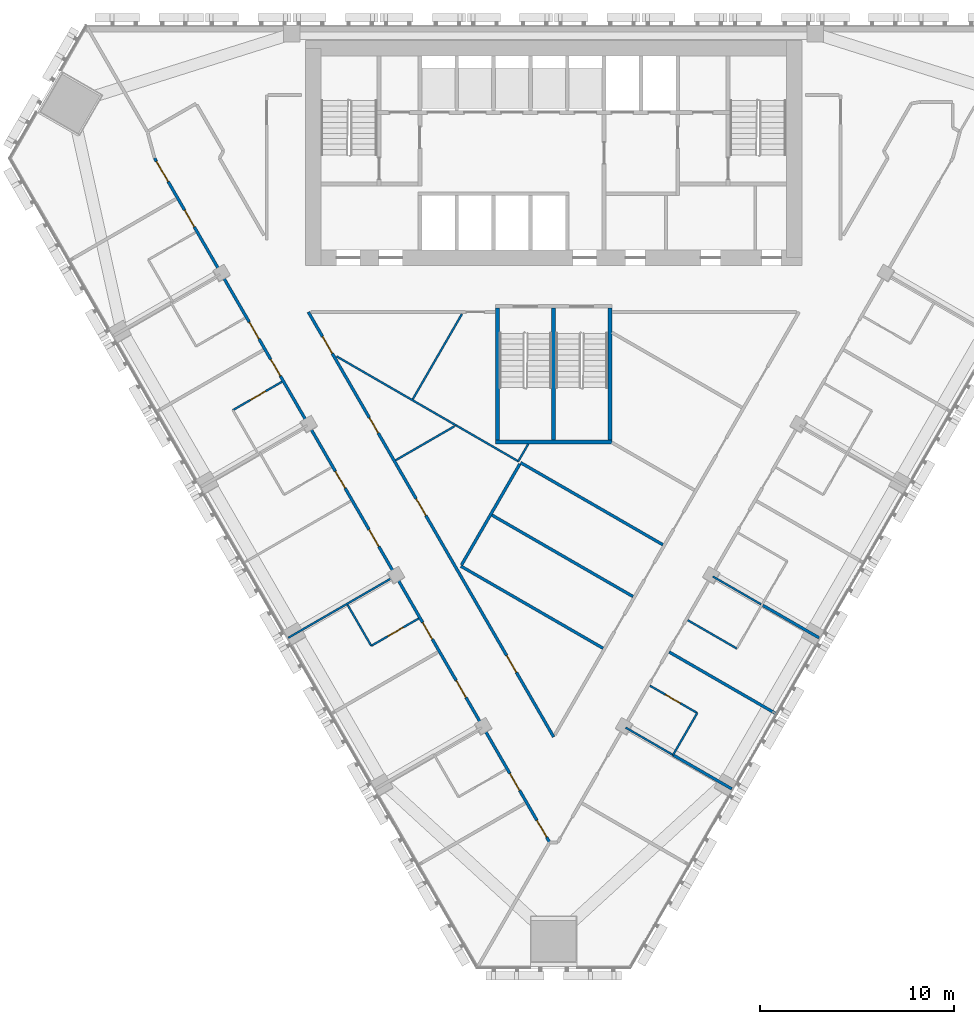
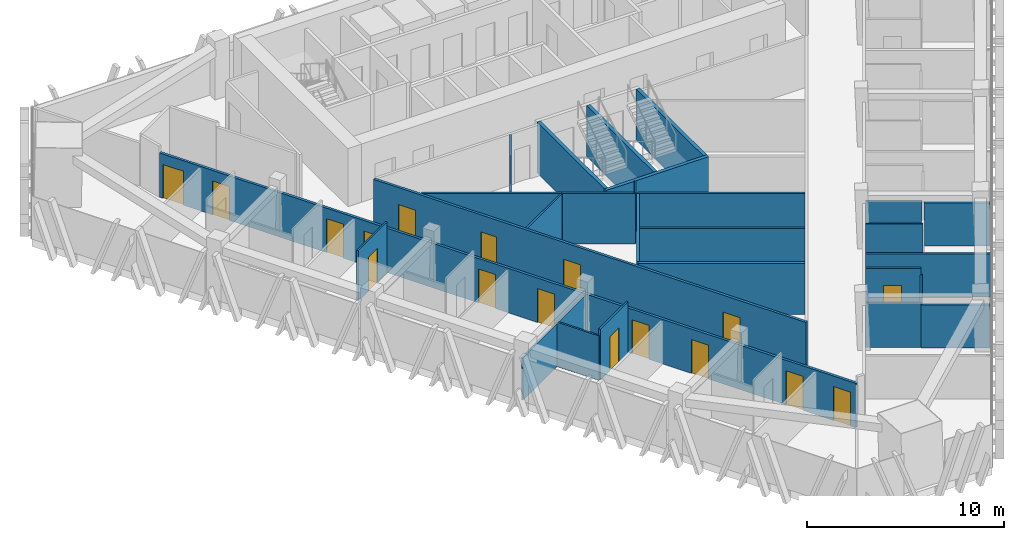
# One storey, part 9 of 16: 27 walls, 17 doors, 17 openings.
"""IFC4 building model written with IfcOpenShell, lengths in metres."""

from ifc_helpers import new_model, si_unit, direction, frame, frame_2d, origin, place, context, subcontext, project, spatial, rectangle, extrude, material, layer, layer_set, type_object, element, fill, save


model = new_model("IFC4")

# Units and contexts
model_context = context("Model", 3, precision=1e-05, world=origin(), true_north=direction((0.0, 1.0)))
body_context = subcontext(model_context, "Body", "Model", "MODEL_VIEW")
ifc_project = project(units=[si_unit("LENGTHUNIT", "METRE"), si_unit("AREAUNIT", "SQUARE_METRE"), si_unit("VOLUMEUNIT", "CUBIC_METRE"), si_unit("PLANEANGLEUNIT", "RADIAN"), si_unit("MASSUNIT", "GRAM", prefix="KILO")], contexts=[model_context])

# Site, building, storey
site_placement = place(None, origin())
site = spatial("IfcSite", under=ifc_project, at=site_placement, CompositionType="ELEMENT")
building_placement = place(site_placement, origin())
building = spatial("IfcBuilding", under=site, at=building_placement, Name="Altiplano Prism Tower", CompositionType="ELEMENT")
storey_placement = place(building_placement, frame((0.0, 0.0, 124.199951171875)))
storey = spatial("IfcBuildingStorey", under=building, at=storey_placement, Name="L31", CompositionType="ELEMENT", Elevation=124.199951171875)

# Wall, opening, door
ifc_material_1 = material(Name="Plasterboard on steel stud", Category="steel")
ifc_layer_1 = layer(ifc_material_1, 0.10009765625)
ifc_layer_set_1 = layer_set([ifc_layer_1], Name="Plasterboard on steel stud")
wall_type_1 = type_object("IfcWallType", Name="Partition 100 unit", PredefinedType="PARTITIONING", material=ifc_layer_set_1)
wall_1_placement = place(storey_placement, frame((68.454345703125, 85.139404296875, 0.0), z_axis=(0.0, 0.0, 1.0), x_axis=(0.865989585315, 0.500062034277, 0.0)))
wall_1 = element("IfcWall", 1, at=wall_1_placement, inside=storey, type_object=wall_type_1, Name="Partition P02 L31 044", PredefinedType="PARTITIONING", context=body_context, shape_type="SweptSolid", body=[
    extrude(rectangle(XDim=2.925048828125, YDim=0.10009765625, at=frame_2d((1.46240234375, 0.0))), origin(), (0.0, 0.0, 1.0), 3.150146484375),
])
opening_1_placement = place(wall_1_placement, frame((1.050048828125, 0.0, 0.0)))
opening_1 = element("IfcOpeningElement", 2, at=opening_1_placement, cuts=wall_1, Name="Opening D1104", PredefinedType="OPENING", context=body_context, shape_type="SweptSolid", body=[
    extrude(rectangle(XDim=0.89990234375, YDim=2.10009765625, at=frame_2d((0.449951171875, 1.050048828125))), frame((0.0, 0.060546875, 0.0), z_axis=(0.0, -1.0, 0.0), x_axis=(1.0, 0.0, 0.0)), (0.0, 0.0, 1.0), 0.12109375),
])
ifc_material_2 = material(Name="Timber", Category="wood")
door_type_1 = type_object("IfcDoorType", Name="Ensuite door 900 x 2100", OperationType="NOTDEFINED", PredefinedType="NOTDEFINED", material=ifc_material_2)
door_1_placement = place(opening_1_placement, origin())
door_1 = element("IfcDoor", 3, at=door_1_placement, inside=storey, type_object=door_type_1, Name="Door D1104", OperationType="SINGLE_SWING_LEFT", OverallHeight=2.10009765625, OverallWidth=0.89990234375, PredefinedType="NOTDEFINED", context=body_context, shape_type="SweptSolid", body=[
    extrude(rectangle(XDim=0.89990234375, YDim=2.10009765625, at=frame_2d((0.449951171875, 1.050048828125))), frame((0.0, 0.02490234375, 0.0), z_axis=(0.0, -1.0, 0.0), x_axis=(1.0, 0.0, 0.0)), (0.0, 0.0, 1.0), 0.050048828125),
])
fill(opening_1, door_1)

wall_2_placement = place(storey_placement, frame((78.037353515625, 74.39111328125, 0.0), z_axis=(0.0, 0.0, 1.0), x_axis=(-0.866011447264, -0.500024172624, 0.0)))
wall_2 = element("IfcWall", 4, at=wall_2_placement, inside=storey, type_object=wall_type_1, Name="Partition P02 L31 051", PredefinedType="PARTITIONING", context=body_context, shape_type="SweptSolid", body=[
    extrude(rectangle(XDim=2.824951171875, YDim=0.10009765625, at=frame_2d((1.41259765625, 0.0))), origin(), (0.0, 0.0, 1.0), 3.150146484375),
])
opening_2_placement = place(wall_2_placement, frame((0.925048828125, 0.0, 0.0)))
opening_2 = element("IfcOpeningElement", 5, at=opening_2_placement, cuts=wall_2, Name="Opening D1109", PredefinedType="OPENING", context=body_context, shape_type="SweptSolid", body=[
    extrude(rectangle(XDim=0.89990234375, YDim=2.10009765625, at=frame_2d((0.449951171875, 1.050048828125))), frame((0.0, 0.060546875, 0.0), z_axis=(0.0, -1.0, 0.0), x_axis=(1.0, 0.0, 0.0)), (0.0, 0.0, 1.0), 0.12109375),
])
door_2_placement = place(opening_2_placement, origin())
door_2 = element("IfcDoor", 6, at=door_2_placement, inside=storey, type_object=door_type_1, Name="Door D1109", OperationType="SINGLE_SWING_LEFT", OverallHeight=2.10009765625, OverallWidth=0.89990234375, PredefinedType="NOTDEFINED", context=body_context, shape_type="SweptSolid", body=[
    extrude(rectangle(XDim=0.89990234375, YDim=2.10009765625, at=frame_2d((0.449951171875, 1.050048828125))), frame((0.0, 0.02490234375, 0.0), z_axis=(0.0, -1.0, 0.0), x_axis=(1.0, 0.0, 0.0)), (0.0, 0.0, 1.0), 0.050048828125),
])
fill(opening_2, door_2)

# Wall
wall_3_placement = place(storey_placement, frame((75.5908203125, 72.978515625, 0.0), z_axis=(0.0, 0.0, 1.0), x_axis=(-0.499943856944, 0.866057815567, 0.0)))
element("IfcWall", 7, at=wall_3_placement, inside=storey, type_object=wall_type_1, Name="Partition P02 L31 052", PredefinedType="PARTITIONING", context=body_context, shape_type="SweptSolid", body=[
    extrude(rectangle(XDim=2.449951171875, YDim=0.10009765625, at=frame_2d((1.22509765625, 0.0))), origin(), (0.0, 0.0, 1.0), 2.75),
])

# Wall, opening, door
wall_4_placement = place(storey_placement, frame((89.962646484375, 70.927001953125, 0.0), z_axis=(0.0, 0.0, 1.0), x_axis=(0.866011447264, -0.500024172624, 0.0)))
wall_4 = element("IfcWall", 8, at=wall_4_placement, inside=storey, type_object=wall_type_1, Name="Partition P02 L31 063", PredefinedType="PARTITIONING", context=body_context, shape_type="SweptSolid", body=[
    extrude(rectangle(XDim=2.824951171875, YDim=0.10009765625, at=frame_2d((1.41259765625, 0.0))), origin(), (0.0, 0.0, 1.0), 3.150146484375),
])
opening_3_placement = place(wall_4_placement, frame((0.925048828125, 0.0, 0.0)))
opening_3 = element("IfcOpeningElement", 9, at=opening_3_placement, cuts=wall_4, Name="Opening D1117", PredefinedType="OPENING", context=body_context, shape_type="SweptSolid", body=[
    extrude(rectangle(XDim=0.89990234375, YDim=2.10009765625, at=frame_2d((0.449951171875, 1.050048828125))), frame((0.0, 0.060546875, 0.0), z_axis=(0.0, -1.0, 0.0), x_axis=(1.0, 0.0, 0.0)), (0.0, 0.0, 1.0), 0.12109375),
])
door_3_placement = place(opening_3_placement, origin())
door_3 = element("IfcDoor", 10, at=door_3_placement, inside=storey, type_object=door_type_1, Name="Door D1117", OperationType="SINGLE_SWING_LEFT", OverallHeight=2.10009765625, OverallWidth=0.89990234375, PredefinedType="NOTDEFINED", context=body_context, shape_type="SweptSolid", body=[
    extrude(rectangle(XDim=0.89990234375, YDim=2.10009765625, at=frame_2d((0.449951171875, 1.050048828125))), frame((0.0, 0.02490234375, 0.0), z_axis=(0.0, -1.0, 0.0), x_axis=(1.0, 0.0, 0.0)), (0.0, 0.0, 1.0), 0.050048828125),
])
fill(opening_3, door_3)

# Walls
wall_5_placement = place(storey_placement, frame((92.4091796875, 69.514404296875, 0.0), z_axis=(0.0, 0.0, 1.0), x_axis=(-0.500004234368, -0.866022959057, 0.0)))
element("IfcWall", 11, at=wall_5_placement, inside=storey, type_object=wall_type_1, Name="Partition P02 L31 064", PredefinedType="PARTITIONING", context=body_context, shape_type="SweptSolid", body=[
    extrude(rectangle(XDim=2.5, YDim=0.10009765625, at=frame_2d((1.25, 0.0))), origin(), (0.0, 0.0, 1.0), 2.75),
])
wall_6_placement = place(storey_placement, frame((94.44580078125, 72.842041015625, 0.0), z_axis=(0.0, 0.0, 1.0), x_axis=(-0.866046596414, 0.499963291492, 0.0)))
element("IfcWall", 12, at=wall_6_placement, inside=storey, type_object=wall_type_1, Name="Partition P02 L31 066", PredefinedType="PARTITIONING", context=body_context, shape_type="SweptSolid", body=[
    extrude(rectangle(XDim=2.925048828125, YDim=0.10009765625, at=frame_2d((1.46240234375, 0.0))), origin(), (0.0, 0.0, 1.0), 3.150146484375),
])
ifc_layer_2 = layer(ifc_material_1, 0.10009765625)
ifc_layer_set_2 = layer_set([ifc_layer_2], Name="Plasterboard on steel stud")
wall_type_2 = type_object("IfcWallType", Name="Partition 100 wet", PredefinedType="PARTITIONING", material=ifc_layer_set_2)
wall_7_placement = place(storey_placement, frame((79.9833984375, 84.342529296875, 0.0), z_axis=(0.0, 0.0, 1.0), x_axis=(-0.866015220358, 0.500017637798, 0.0)))
element("IfcWall", 13, at=wall_7_placement, inside=storey, type_object=wall_type_2, Name="Partition P03 L31 025", PredefinedType="PARTITIONING", context=body_context, shape_type="SweptSolid", body=[
    extrude(rectangle(XDim=7.135498046875, YDim=0.10009765625, at=frame_2d((3.56787109375, 0.0))), origin(), (0.0, 0.0, 1.0), 3.150146484375),
])
wall_8_placement = place(storey_placement, frame((76.847412109375, 82.552001953125, 0.0), z_axis=(0.0, 0.0, 1.0), x_axis=(0.866020164116, 0.500009075263, 0.0)))
element("IfcWall", 14, at=wall_8_placement, inside=storey, type_object=wall_type_2, Name="Partition P03 L31 026", PredefinedType="PARTITIONING", context=body_context, shape_type="SweptSolid", body=[
    extrude(rectangle(XDim=3.5146484375, YDim=0.10009765625, at=frame_2d((1.75732421875, 0.0))), origin(), (0.0, 0.0, 1.0), 3.150146484375),
])
wall_9_placement = place(storey_placement, frame((80.271728515625, 90.10009765625, 0.0), z_axis=(0.0, 0.0, 1.0), x_axis=(-0.499984530349, -0.866034335007, 0.0)))
element("IfcWall", 15, at=wall_9_placement, inside=storey, type_object=wall_type_2, Name="Partition P03 L31 027", PredefinedType="PARTITIONING", context=body_context, shape_type="SweptSolid", body=[
    extrude(rectangle(XDim=5.080322265625, YDim=0.10009765625, at=frame_2d((2.5400390625, 0.0))), origin(), (0.0, 0.0, 1.0), 3.150146484375),
])
wall_10_placement = place(storey_placement, frame((83.176025390625, 82.49951171875, 0.0), z_axis=(0.0, 0.0, 1.0), x_axis=(0.499952834948, 0.866052632827, 0.0)))
element("IfcWall", 16, at=wall_10_placement, inside=storey, type_object=wall_type_2, Name="Partition P03 L31 028", PredefinedType="PARTITIONING", context=body_context, shape_type="SweptSolid", body=[
    extrude(rectangle(XDim=1.03955078125, YDim=0.10009765625, at=frame_2d((0.519775390625, 0.0))), origin(), (0.0, 0.0, 1.0), 3.150146484375),
])
wall_11_placement = place(storey_placement, frame((79.96630859375, 84.3525390625, 0.0), z_axis=(0.0, 0.0, 1.0), x_axis=(0.866037201768, -0.499979564737, 0.0)))
element("IfcWall", 17, at=wall_11_placement, inside=storey, type_object=wall_type_2, Name="Partition P03 L31 029", PredefinedType="PARTITIONING", context=body_context, shape_type="SweptSolid", body=[
    extrude(rectangle(XDim=3.726318359375, YDim=0.10009765625, at=frame_2d((1.86328125, 0.0))), origin(), (0.0, 0.0, 1.0), 3.150146484375),
])
wall_12_placement = place(storey_placement, frame((71.309814453125, 73.3935546875, 0.0), z_axis=(0.0, 0.0, 1.0), x_axis=(0.866015887322, 0.500016482634, 0.0)))
element("IfcWall", 18, at=wall_12_placement, inside=storey, type_object=wall_type_2, Name="Partition P03 L31 050", PredefinedType="PARTITIONING", context=body_context, shape_type="SweptSolid", body=[
    extrude(rectangle(XDim=6.324951171875, YDim=0.10009765625, at=frame_2d((3.16259765625, 0.0))), origin(), (0.0, 0.0, 1.0), 2.650146484375),
])
wall_13_placement = place(storey_placement, frame((91.1591796875, 67.349365234375, 0.0), z_axis=(0.0, 0.0, 1.0), x_axis=(-0.866011447264, 0.500024172624, 0.0)))
element("IfcWall", 19, at=wall_13_placement, inside=storey, type_object=wall_type_2, Name="Partition P03 L31 062", PredefinedType="PARTITIONING", context=body_context, shape_type="SweptSolid", body=[
    extrude(rectangle(XDim=2.824951171875, YDim=0.10009765625, at=frame_2d((1.41259765625, 0.0))), origin(), (0.0, 0.0, 1.0), 2.75),
])
wall_14_placement = place(storey_placement, frame((95.702392578125, 75.11865234375, 0.0), z_axis=(0.0, 0.0, 1.0), x_axis=(-0.866018712932, 0.500011588718, 0.0)))
element("IfcWall", 20, at=wall_14_placement, inside=storey, type_object=wall_type_2, Name="Partition P03 L31 068", PredefinedType="PARTITIONING", context=body_context, shape_type="SweptSolid", body=[
    extrude(rectangle(XDim=2.875, YDim=0.10009765625, at=frame_2d((1.4375, 0.0))), origin(), (0.0, 0.0, 1.0), 2.75),
])

# Wall, openings, doors
ifc_layer_3 = layer(ifc_material_1, 0.14990234375)
ifc_layer_set_3 = layer_set([ifc_layer_3], Name="Plasterboard on steel stud")
wall_type_3 = type_object("IfcWallType", Name="Partition 150 corridor", PredefinedType="PARTITIONING", material=ifc_layer_set_3)
wall_15_placement = place(storey_placement, frame((85.0, 68.281494140625, 0.0), z_axis=(0.0, 0.0, 1.0), x_axis=(-0.49999744999, 0.866026876029, 0.0)))
wall_15 = element("IfcWall", 21, at=wall_15_placement, inside=storey, type_object=wall_type_3, Name="Partition P06 L31 002", PredefinedType="PARTITIONING", context=body_context, shape_type="SweptSolid", body=[
    extrude(rectangle(XDim=25.309326171875, YDim=0.14990234375, at=frame_2d((12.65478515625, 0.0))), origin(), (0.0, 0.0, 1.0), 3.150146484375),
])
opening_4_placement = place(wall_15_placement, frame((18.10693359375, 0.0, 0.0)))
opening_4 = element("IfcOpeningElement", 22, at=opening_4_placement, cuts=wall_15, Name="Opening D1092", PredefinedType="OPENING", context=body_context, shape_type="SweptSolid", body=[
    extrude(rectangle(XDim=0.89990234375, YDim=2.10009765625, at=frame_2d((0.449951171875, 1.050048828125))), frame((0.0, 0.08544921875, 0.0), z_axis=(0.0, -1.0, 0.0), x_axis=(1.0, 0.0, 0.0)), (0.0, 0.0, 1.0), 0.1708984375),
])
opening_5_placement = place(wall_15_placement, frame((22.843017578125, 0.0, 0.0)))
opening_5 = element("IfcOpeningElement", 23, at=opening_5_placement, cuts=wall_15, Name="Opening D1094", PredefinedType="OPENING", context=body_context, shape_type="SweptSolid", body=[
    extrude(rectangle(XDim=1.0, YDim=2.10009765625, at=frame_2d((0.5, 1.050048828125))), frame((0.0, 0.08544921875, 0.0), z_axis=(0.0, -1.0, 0.0), x_axis=(1.0, 0.0, 0.0)), (0.0, 0.0, 1.0), 0.1708984375),
])
opening_6_placement = place(wall_15_placement, frame((3.843994140625, 0.0, 0.0)))
opening_6 = element("IfcOpeningElement", 24, at=opening_6_placement, cuts=wall_15, Name="Opening D1095", PredefinedType="OPENING", context=body_context, shape_type="SweptSolid", body=[
    extrude(rectangle(XDim=1.0, YDim=2.10009765625, at=frame_2d((0.5, 1.050048828125))), frame((0.0, 0.08544921875, 0.0), z_axis=(0.0, -1.0, 0.0), x_axis=(1.0, 0.0, 0.0)), (0.0, 0.0, 1.0), 0.1708984375),
])
opening_7_placement = place(wall_15_placement, frame((13.18408203125, 0.0, 0.0)))
opening_7 = element("IfcOpeningElement", 25, at=opening_7_placement, cuts=wall_15, Name="Opening D1097", PredefinedType="OPENING", context=body_context, shape_type="SweptSolid", body=[
    extrude(rectangle(XDim=1.0, YDim=2.10009765625, at=frame_2d((0.5, 1.050048828125))), frame((0.0, 0.08544921875, 0.0), z_axis=(0.0, -1.0, 0.0), x_axis=(1.0, 0.0, 0.0)), (0.0, 0.0, 1.0), 0.1708984375),
])
door_type_2 = type_object("IfcDoorType", Name="Store door 1000 x 2100", OperationType="NOTDEFINED", PredefinedType="NOTDEFINED", material=ifc_material_2)
door_4_placement = place(opening_5_placement, origin())
door_4 = element("IfcDoor", 26, at=door_4_placement, inside=storey, type_object=door_type_2, Name="Door D1094", OperationType="SINGLE_SWING_RIGHT", OverallHeight=2.10009765625, OverallWidth=1.0, PredefinedType="NOTDEFINED", context=body_context, shape_type="SweptSolid", body=[
    extrude(rectangle(XDim=1.0, YDim=2.10009765625, at=frame_2d((0.5, 1.050048828125))), frame((0.0, 0.02490234375, 0.0), z_axis=(0.0, -1.0, 0.0), x_axis=(1.0, 0.0, 0.0)), (0.0, 0.0, 1.0), 0.050048828125),
])
fill(opening_5, door_4)
door_5_placement = place(opening_6_placement, origin())
door_5 = element("IfcDoor", 27, at=door_5_placement, inside=storey, type_object=door_type_2, Name="Door D1095", OperationType="SINGLE_SWING_LEFT", OverallHeight=2.10009765625, OverallWidth=1.0, PredefinedType="NOTDEFINED", context=body_context, shape_type="SweptSolid", body=[
    extrude(rectangle(XDim=1.0, YDim=2.10009765625, at=frame_2d((0.5, 1.050048828125))), frame((0.0, 0.02490234375, 0.0), z_axis=(0.0, -1.0, 0.0), x_axis=(1.0, 0.0, 0.0)), (0.0, 0.0, 1.0), 0.050048828125),
])
fill(opening_6, door_5)
door_6_placement = place(opening_7_placement, origin())
door_6 = element("IfcDoor", 28, at=door_6_placement, inside=storey, type_object=door_type_2, Name="Door D1097", OperationType="SINGLE_SWING_LEFT", OverallHeight=2.10009765625, OverallWidth=1.0, PredefinedType="NOTDEFINED", context=body_context, shape_type="SweptSolid", body=[
    extrude(rectangle(XDim=1.0, YDim=2.10009765625, at=frame_2d((0.5, 1.050048828125))), frame((0.0, 0.02490234375, 0.0), z_axis=(0.0, -1.0, 0.0), x_axis=(1.0, 0.0, 0.0)), (0.0, 0.0, 1.0), 0.050048828125),
])
fill(opening_7, door_6)
door_type_3 = type_object("IfcDoorType", Name="Toilet door 900 x 2100", OperationType="NOTDEFINED", PredefinedType="NOTDEFINED", material=ifc_material_2)
door_7_placement = place(opening_4_placement, origin())
door_7 = element("IfcDoor", 29, at=door_7_placement, inside=storey, type_object=door_type_3, Name="Door D1092", OperationType="SINGLE_SWING_LEFT", OverallHeight=2.10009765625, OverallWidth=0.89990234375, PredefinedType="NOTDEFINED", context=body_context, shape_type="SweptSolid", body=[
    extrude(rectangle(XDim=0.89990234375, YDim=2.10009765625, at=frame_2d((0.449951171875, 1.050048828125))), frame((0.0, 0.02490234375, 0.0), z_axis=(0.0, -1.0, 0.0), x_axis=(1.0, 0.0, 0.0)), (0.0, 0.0, 1.0), 0.050048828125),
])
fill(opening_4, door_7)

wall_16_placement = place(storey_placement, frame((64.412841796875, 98.139404296875, 0.0), z_axis=(0.0, 0.0, 1.0), x_axis=(0.500003831119, -0.866023191876, 0.0)))
wall_16 = element("IfcWall", 30, at=wall_16_placement, inside=storey, type_object=wall_type_3, Name="Partition P06 L31 005", PredefinedType="PARTITIONING", context=body_context, shape_type="SweptSolid", body=[
    extrude(rectangle(XDim=40.758056640625, YDim=0.14990234375, at=frame_2d((20.37890625, 0.0))), origin(), (0.0, 0.0, 1.0), 2.75),
])
opening_8_placement = place(wall_16_placement, frame((0.199951171875, 0.0, 0.0)))
opening_8 = element("IfcOpeningElement", 31, at=opening_8_placement, cuts=wall_16, Name="Opening D1098", PredefinedType="OPENING", context=body_context, shape_type="SweptSolid", body=[
    extrude(rectangle(XDim=1.199951171875, YDim=2.10009765625, at=frame_2d((0.60009765625, 1.050048828125))), frame((0.0, 0.08544921875, 0.0), z_axis=(0.0, -1.0, 0.0), x_axis=(1.0, 0.0, 0.0)), (0.0, 0.0, 1.0), 0.1708984375),
])
opening_9_placement = place(wall_16_placement, frame((3.09912109375, 0.0, 0.0)))
opening_9 = element("IfcOpeningElement", 32, at=opening_9_placement, cuts=wall_16, Name="Opening D1099", PredefinedType="OPENING", context=body_context, shape_type="SweptSolid", body=[
    extrude(rectangle(XDim=1.0, YDim=2.10009765625, at=frame_2d((0.5, 1.050048828125))), frame((0.0, 0.08544921875, 0.0), z_axis=(0.0, -1.0, 0.0), x_axis=(1.0, 0.0, 0.0)), (0.0, 0.0, 1.0), 0.1708984375),
])
opening_10_placement = place(wall_16_placement, frame((9.77392578125, 0.0, 0.0)))
opening_10 = element("IfcOpeningElement", 33, at=opening_10_placement, cuts=wall_16, Name="Opening D1101", PredefinedType="OPENING", context=body_context, shape_type="SweptSolid", body=[
    extrude(rectangle(XDim=1.0, YDim=2.10009765625, at=frame_2d((0.5, 1.050048828125))), frame((0.0, 0.08544921875, 0.0), z_axis=(0.0, -1.0, 0.0), x_axis=(1.0, 0.0, 0.0)), (0.0, 0.0, 1.0), 0.1708984375),
])
opening_11_placement = place(wall_16_placement, frame((11.98388671875, 0.0, 0.0)))
opening_11 = element("IfcOpeningElement", 34, at=opening_11_placement, cuts=wall_16, Name="Opening D1103", PredefinedType="OPENING", context=body_context, shape_type="SweptSolid", body=[
    extrude(rectangle(XDim=1.0, YDim=2.10009765625, at=frame_2d((0.5, 1.050048828125))), frame((0.0, 0.08544921875, 0.0), z_axis=(0.0, -1.0, 0.0), x_axis=(1.0, 0.0, 0.0)), (0.0, 0.0, 1.0), 0.1708984375),
])
opening_12_placement = place(wall_16_placement, frame((18.658935546875, 0.0, 0.0)))
opening_12 = element("IfcOpeningElement", 35, at=opening_12_placement, cuts=wall_16, Name="Opening D1105", PredefinedType="OPENING", context=body_context, shape_type="SweptSolid", body=[
    extrude(rectangle(XDim=1.0, YDim=2.10009765625, at=frame_2d((0.5, 1.050048828125))), frame((0.0, 0.08544921875, 0.0), z_axis=(0.0, -1.0, 0.0), x_axis=(1.0, 0.0, 0.0)), (0.0, 0.0, 1.0), 0.1708984375),
])
opening_13_placement = place(wall_16_placement, frame((22.12890625, 0.0, 0.0)))
opening_13 = element("IfcOpeningElement", 36, at=opening_13_placement, cuts=wall_16, Name="Opening D1107", PredefinedType="OPENING", context=body_context, shape_type="SweptSolid", body=[
    extrude(rectangle(XDim=1.0, YDim=2.10009765625, at=frame_2d((0.5, 1.050048828125))), frame((0.0, 0.08544921875, 0.0), z_axis=(0.0, -1.0, 0.0), x_axis=(1.0, 0.0, 0.0)), (0.0, 0.0, 1.0), 0.1708984375),
])
opening_14_placement = place(wall_16_placement, frame((27.658935546875, 0.0, 0.0)))
opening_14 = element("IfcOpeningElement", 37, at=opening_14_placement, cuts=wall_16, Name="Opening D1108", PredefinedType="OPENING", context=body_context, shape_type="SweptSolid", body=[
    extrude(rectangle(XDim=1.0, YDim=2.10009765625, at=frame_2d((0.5, 1.050048828125))), frame((0.0, 0.08544921875, 0.0), z_axis=(0.0, -1.0, 0.0), x_axis=(1.0, 0.0, 0.0)), (0.0, 0.0, 1.0), 0.1708984375),
])
opening_15_placement = place(wall_16_placement, frame((31.12890625, 0.0, 0.0)))
opening_15 = element("IfcOpeningElement", 38, at=opening_15_placement, cuts=wall_16, Name="Opening D1110", PredefinedType="OPENING", context=body_context, shape_type="SweptSolid", body=[
    extrude(rectangle(XDim=1.0, YDim=2.10009765625, at=frame_2d((0.5, 1.050048828125))), frame((0.0, 0.08544921875, 0.0), z_axis=(0.0, -1.0, 0.0), x_axis=(1.0, 0.0, 0.0)), (0.0, 0.0, 1.0), 0.1708984375),
])
opening_16_placement = place(wall_16_placement, frame((36.658935546875, 0.0, 0.0)))
opening_16 = element("IfcOpeningElement", 39, at=opening_16_placement, cuts=wall_16, Name="Opening D1111", PredefinedType="OPENING", context=body_context, shape_type="SweptSolid", body=[
    extrude(rectangle(XDim=1.0, YDim=2.10009765625, at=frame_2d((0.5, 1.050048828125))), frame((0.0, 0.08544921875, 0.0), z_axis=(0.0, -1.0, 0.0), x_axis=(1.0, 0.0, 0.0)), (0.0, 0.0, 1.0), 0.1708984375),
])
opening_17_placement = place(wall_16_placement, frame((39.445068359375, 0.0, 0.0)))
opening_17 = element("IfcOpeningElement", 40, at=opening_17_placement, cuts=wall_16, Name="Opening D1113", PredefinedType="OPENING", context=body_context, shape_type="SweptSolid", body=[
    extrude(rectangle(XDim=1.0, YDim=2.10009765625, at=frame_2d((0.5, 1.050048828125))), frame((0.0, 0.08544921875, 0.0), z_axis=(0.0, -1.0, 0.0), x_axis=(1.0, 0.0, 0.0)), (0.0, 0.0, 1.0), 0.1708984375),
])
door_type_4 = type_object("IfcDoorType", Name="Bedroom entrance door 1000 x 2100", OperationType="NOTDEFINED", PredefinedType="NOTDEFINED", material=ifc_material_2)
door_8_placement = place(opening_9_placement, origin())
door_8 = element("IfcDoor", 41, at=door_8_placement, inside=storey, type_object=door_type_4, Name="Door D1099", OperationType="SINGLE_SWING_RIGHT", OverallHeight=2.10009765625, OverallWidth=1.0, PredefinedType="NOTDEFINED", context=body_context, shape_type="SweptSolid", body=[
    extrude(rectangle(XDim=1.0, YDim=2.10009765625, at=frame_2d((0.5, 1.050048828125))), frame((0.0, 0.02490234375, 0.0), z_axis=(0.0, -1.0, 0.0), x_axis=(1.0, 0.0, 0.0)), (0.0, 0.0, 1.0), 0.050048828125),
])
fill(opening_9, door_8)
door_9_placement = place(opening_10_placement, origin())
door_9 = element("IfcDoor", 42, at=door_9_placement, inside=storey, type_object=door_type_4, Name="Door D1101", OperationType="SINGLE_SWING_RIGHT", OverallHeight=2.10009765625, OverallWidth=1.0, PredefinedType="NOTDEFINED", context=body_context, shape_type="SweptSolid", body=[
    extrude(rectangle(XDim=1.0, YDim=2.10009765625, at=frame_2d((0.5, 1.050048828125))), frame((0.0, 0.02490234375, 0.0), z_axis=(0.0, -1.0, 0.0), x_axis=(1.0, 0.0, 0.0)), (0.0, 0.0, 1.0), 0.050048828125),
])
fill(opening_10, door_9)
door_10_placement = place(opening_11_placement, origin())
door_10 = element("IfcDoor", 43, at=door_10_placement, inside=storey, type_object=door_type_4, Name="Door D1103", OperationType="SINGLE_SWING_LEFT", OverallHeight=2.10009765625, OverallWidth=1.0, PredefinedType="NOTDEFINED", context=body_context, shape_type="SweptSolid", body=[
    extrude(rectangle(XDim=1.0, YDim=2.10009765625, at=frame_2d((0.5, 1.050048828125))), frame((0.0, 0.02490234375, 0.0), z_axis=(0.0, -1.0, 0.0), x_axis=(1.0, 0.0, 0.0)), (0.0, 0.0, 1.0), 0.050048828125),
])
fill(opening_11, door_10)
door_11_placement = place(opening_12_placement, origin())
door_11 = element("IfcDoor", 44, at=door_11_placement, inside=storey, type_object=door_type_4, Name="Door D1105", OperationType="SINGLE_SWING_LEFT", OverallHeight=2.10009765625, OverallWidth=1.0, PredefinedType="NOTDEFINED", context=body_context, shape_type="SweptSolid", body=[
    extrude(rectangle(XDim=1.0, YDim=2.10009765625, at=frame_2d((0.5, 1.050048828125))), frame((0.0, 0.02490234375, 0.0), z_axis=(0.0, -1.0, 0.0), x_axis=(1.0, 0.0, 0.0)), (0.0, 0.0, 1.0), 0.050048828125),
])
fill(opening_12, door_11)
door_12_placement = place(opening_14_placement, origin())
door_12 = element("IfcDoor", 45, at=door_12_placement, inside=storey, type_object=door_type_4, Name="Door D1108", OperationType="SINGLE_SWING_RIGHT", OverallHeight=2.10009765625, OverallWidth=1.0, PredefinedType="NOTDEFINED", context=body_context, shape_type="SweptSolid", body=[
    extrude(rectangle(XDim=1.0, YDim=2.10009765625, at=frame_2d((0.5, 1.050048828125))), frame((0.0, 0.02490234375, 0.0), z_axis=(0.0, -1.0, 0.0), x_axis=(1.0, 0.0, 0.0)), (0.0, 0.0, 1.0), 0.050048828125),
])
fill(opening_14, door_12)
door_13_placement = place(opening_16_placement, origin())
door_13 = element("IfcDoor", 46, at=door_13_placement, inside=storey, type_object=door_type_4, Name="Door D1111", OperationType="SINGLE_SWING_RIGHT", OverallHeight=2.10009765625, OverallWidth=1.0, PredefinedType="NOTDEFINED", context=body_context, shape_type="SweptSolid", body=[
    extrude(rectangle(XDim=1.0, YDim=2.10009765625, at=frame_2d((0.5, 1.050048828125))), frame((0.0, 0.02490234375, 0.0), z_axis=(0.0, -1.0, 0.0), x_axis=(1.0, 0.0, 0.0)), (0.0, 0.0, 1.0), 0.050048828125),
])
fill(opening_16, door_13)
door_type_5 = type_object("IfcDoorType", Name="Room door 1000 x 2100", OperationType="NOTDEFINED", PredefinedType="NOTDEFINED", material=ifc_material_2)
door_14_placement = place(opening_13_placement, origin())
door_14 = element("IfcDoor", 47, at=door_14_placement, inside=storey, type_object=door_type_5, Name="Door D1107", OperationType="SINGLE_SWING_RIGHT", OverallHeight=2.10009765625, OverallWidth=1.0, PredefinedType="NOTDEFINED", context=body_context, shape_type="SweptSolid", body=[
    extrude(rectangle(XDim=1.0, YDim=2.10009765625, at=frame_2d((0.5, 1.050048828125))), frame((0.0, 0.02490234375, 0.0), z_axis=(0.0, -1.0, 0.0), x_axis=(1.0, 0.0, 0.0)), (0.0, 0.0, 1.0), 0.050048828125),
])
fill(opening_13, door_14)
door_15_placement = place(opening_15_placement, origin())
door_15 = element("IfcDoor", 48, at=door_15_placement, inside=storey, type_object=door_type_5, Name="Door D1110", OperationType="SINGLE_SWING_RIGHT", OverallHeight=2.10009765625, OverallWidth=1.0, PredefinedType="NOTDEFINED", context=body_context, shape_type="SweptSolid", body=[
    extrude(rectangle(XDim=1.0, YDim=2.10009765625, at=frame_2d((0.5, 1.050048828125))), frame((0.0, 0.02490234375, 0.0), z_axis=(0.0, -1.0, 0.0), x_axis=(1.0, 0.0, 0.0)), (0.0, 0.0, 1.0), 0.050048828125),
])
fill(opening_15, door_15)
door_16_placement = place(opening_17_placement, origin())
door_16 = element("IfcDoor", 49, at=door_16_placement, inside=storey, type_object=door_type_5, Name="Door D1113", OperationType="SINGLE_SWING_LEFT", OverallHeight=2.10009765625, OverallWidth=1.0, PredefinedType="NOTDEFINED", context=body_context, shape_type="SweptSolid", body=[
    extrude(rectangle(XDim=1.0, YDim=2.10009765625, at=frame_2d((0.5, 1.050048828125))), frame((0.0, 0.02490234375, 0.0), z_axis=(0.0, -1.0, 0.0), x_axis=(1.0, 0.0, 0.0)), (0.0, 0.0, 1.0), 0.050048828125),
])
fill(opening_17, door_16)
door_type_6 = type_object("IfcDoorType", Name="Shared room door 1200 x 2100", OperationType="NOTDEFINED", PredefinedType="NOTDEFINED", material=ifc_material_2)
door_17_placement = place(opening_8_placement, origin())
door_17 = element("IfcDoor", 50, at=door_17_placement, inside=storey, type_object=door_type_6, Name="Door D1098", OperationType="SINGLE_SWING_RIGHT", OverallHeight=2.10009765625, OverallWidth=1.199951171875, PredefinedType="NOTDEFINED", context=body_context, shape_type="SweptSolid", body=[
    extrude(rectangle(XDim=1.199951171875, YDim=2.10009765625, at=frame_2d((0.60009765625, 1.050048828125))), frame((0.0, 0.02490234375, 0.0), z_axis=(0.0, -1.0, 0.0), x_axis=(1.0, 0.0, 0.0)), (0.0, 0.0, 1.0), 0.050048828125),
])
fill(opening_8, door_17)

# Walls
ifc_layer_4 = layer(ifc_material_1, 0.14990234375)
ifc_layer_set_4 = layer_set([ifc_layer_4], Name="Plasterboard on steel stud")
wall_type_4 = type_object("IfcWallType", Name="Partition 150 party", PredefinedType="PARTITIONING", material=ifc_layer_set_4)
wall_17_placement = place(storey_placement, frame((87.552734375, 72.852783203125, 0.0), z_axis=(0.0, 0.0, 1.0), x_axis=(-0.866016719094, 0.500015042024, 0.0)))
element("IfcWall", 51, at=wall_17_placement, inside=storey, type_object=wall_type_4, Name="Partition P01 L31 030", PredefinedType="PARTITIONING", context=body_context, shape_type="SweptSolid", body=[
    extrude(rectangle(XDim=8.474853515625, YDim=0.14990234375, at=frame_2d((4.2373046875, 0.0))), origin(), (0.0, 0.0, 1.0), 3.150146484375),
])
wall_18_placement = place(storey_placement, frame((83.296142578125, 82.429931640625, 0.0), z_axis=(0.0, 0.0, 1.0), x_axis=(0.866029193349, -0.499993436224, 0.0)))
element("IfcWall", 52, at=wall_18_placement, inside=storey, type_object=wall_type_4, Name="Partition P01 L31 032", PredefinedType="PARTITIONING", context=body_context, shape_type="SweptSolid", body=[
    extrude(rectangle(XDim=8.474609375, YDim=0.14990234375, at=frame_2d((4.2373046875, 0.0))), origin(), (0.0, 0.0, 1.0), 3.150146484375),
])
wall_19_placement = place(storey_placement, frame((80.250732421875, 77.1552734375, 0.0), z_axis=(0.0, 0.0, 1.0), x_axis=(0.500028081597, 0.86600919026, 0.0)))
element("IfcWall", 53, at=wall_19_placement, inside=storey, type_object=wall_type_4, Name="Partition P01 L31 033", PredefinedType="PARTITIONING", context=body_context, shape_type="SweptSolid", body=[
    extrude(rectangle(XDim=6.015869140625, YDim=0.14990234375, at=frame_2d((3.0078125, 0.0))), origin(), (0.0, 0.0, 1.0), 3.150146484375),
])
wall_20_placement = place(storey_placement, frame((94.190185546875, 65.599365234375, 0.0), z_axis=(0.0, 0.0, 1.0), x_axis=(-0.866019471182, 0.500010275428, 0.0)))
element("IfcWall", 54, at=wall_20_placement, inside=storey, type_object=wall_type_4, Name="Partition P01 L31 061", PredefinedType="PARTITIONING", context=body_context, shape_type="SweptSolid", body=[
    extrude(rectangle(XDim=3.5, YDim=0.14990234375, at=frame_2d((1.75, 0.0))), origin(), (0.0, 0.0, 1.0), 2.650146484375),
])
wall_21_placement = place(storey_placement, frame((96.457763671875, 69.486328125, 0.0), z_axis=(0.0, 0.0, 1.0), x_axis=(-0.866025401434, 0.500000004071, 0.0)))
element("IfcWall", 55, at=wall_21_placement, inside=storey, type_object=wall_type_4, Name="Partition P01 L31 065", PredefinedType="PARTITIONING", context=body_context, shape_type="SweptSolid", body=[
    extrude(rectangle(XDim=6.34521484375, YDim=0.14990234375, at=frame_2d((3.172607421875, 0.0))), origin(), (0.0, 0.0, 1.0), 2.650146484375),
])
wall_22_placement = place(storey_placement, frame((98.690185546875, 73.3935546875, 0.0), z_axis=(0.0, 0.0, 1.0), x_axis=(-0.866014461049, 0.500018952895, 0.0)))
element("IfcWall", 56, at=wall_22_placement, inside=storey, type_object=wall_type_4, Name="Partition P01 L31 067", PredefinedType="PARTITIONING", context=body_context, shape_type="SweptSolid", body=[
    extrude(rectangle(XDim=3.349853515625, YDim=0.14990234375, at=frame_2d((1.6748046875, 0.0))), origin(), (0.0, 0.0, 1.0), 2.650146484375),
])
wall_23_placement = place(storey_placement, frame((81.81982421875, 79.72265625, 0.0), z_axis=(0.0, 0.0, 1.0), x_axis=(0.866021988312, -0.500005915725, 0.0)))
element("IfcWall", 57, at=wall_23_placement, inside=storey, type_object=wall_type_4, Name="Partition P01 L31 083", PredefinedType="PARTITIONING", context=body_context, shape_type="SweptSolid", body=[
    extrude(rectangle(XDim=8.39990234375, YDim=0.14990234375, at=frame_2d((4.199951171875, 0.0))), origin(), (0.0, 0.0, 1.0), 3.150146484375),
])
ifc_material_3 = material(Name="Concrete C60/75", Category="concrete")
ifc_layer_5 = layer(ifc_material_3, 0.199951171875)
ifc_layer_set_5 = layer_set([ifc_layer_5], Name="Concrete C60/75")
wall_type_5 = type_object("IfcWallType", Name="Stair wall 200", PredefinedType="SOLIDWALL", material=ifc_layer_set_5)
wall_24_placement = place(storey_placement, frame((82.0, 83.5, 0.0), z_axis=(0.0, 0.0, 1.0), x_axis=(1.0, 0.0, 0.0)))
element("IfcWall", 58, at=wall_24_placement, inside=storey, type_object=wall_type_5, Name="Stair 3 wall south L31", PredefinedType="SOLIDWALL", context=body_context, shape_type="SweptSolid", body=[
    extrude(rectangle(XDim=6.0, YDim=0.199951171875, at=frame_2d((3.0, 0.0))), origin(), (0.0, 0.0, 1.0), 3.150146484375),
])
for number, where, z_axis, x_axis, name in (
    (59, (82.10009765625, 83.60009765625, 0.0), (0.0, 0.0, 1.0), (0.0, 1.0, 0.0), "Stair 3 wall west L31"),
    (60, (87.89990234375, 83.60009765625, 0.0), (0.0, 0.0, 1.0), (0.0, 1.0, 0.0), "Stair 3 wall east L31"),
    (61, (85.0, 83.60009765625, 0.0), (0.0, 0.0, 1.0), (0.0, 1.0, 0.0), "Stair 3 wall divider L31"),
):
    element("IfcWall", number, at=place(storey_placement, frame(where, z_axis=z_axis, x_axis=x_axis)), inside=storey, type_object=wall_type_5, Name=name, PredefinedType="SOLIDWALL", context=body_context, shape_type="SweptSolid", body=[
        extrude(rectangle(XDim=6.7998046875, YDim=0.199951171875, at=frame_2d((3.39990234375, 0.0))), origin(), (0.0, 0.0, 1.0), 3.150146484375),
    ])

save(model, "model.ifc")
